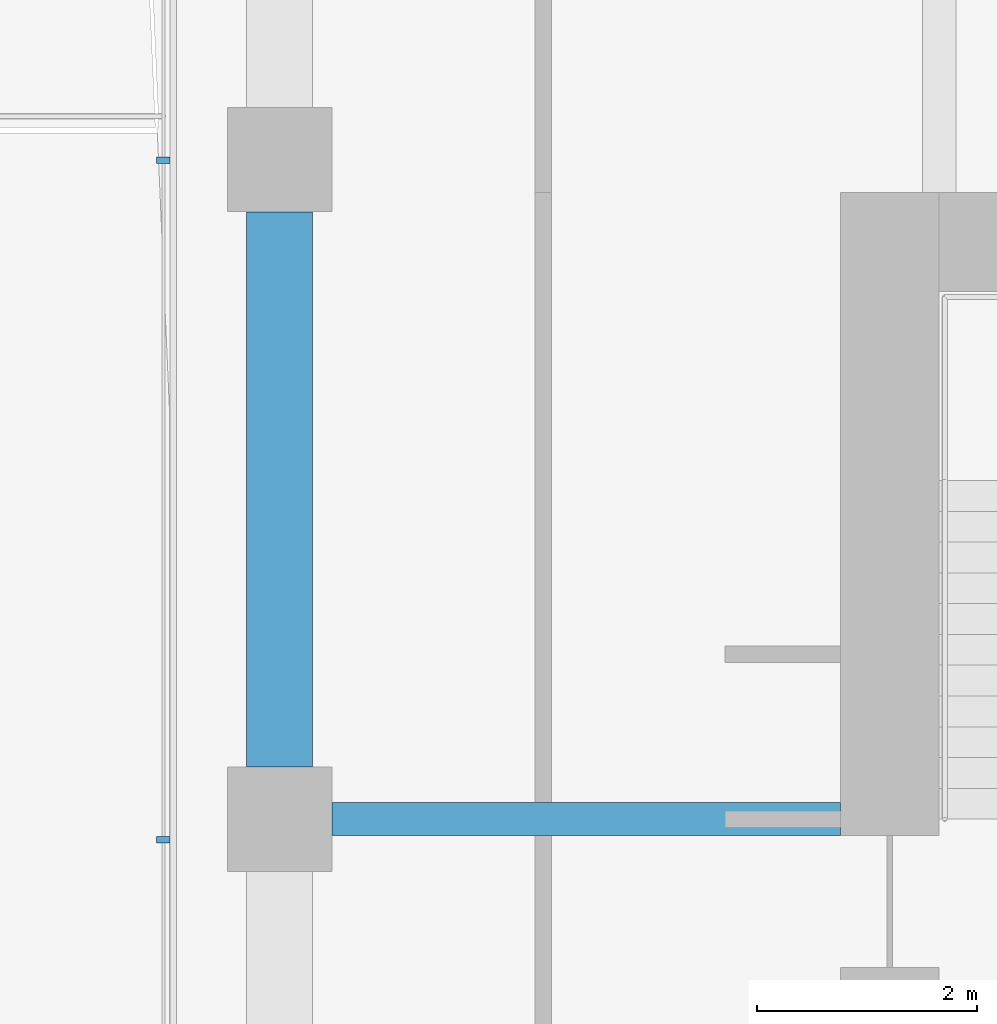
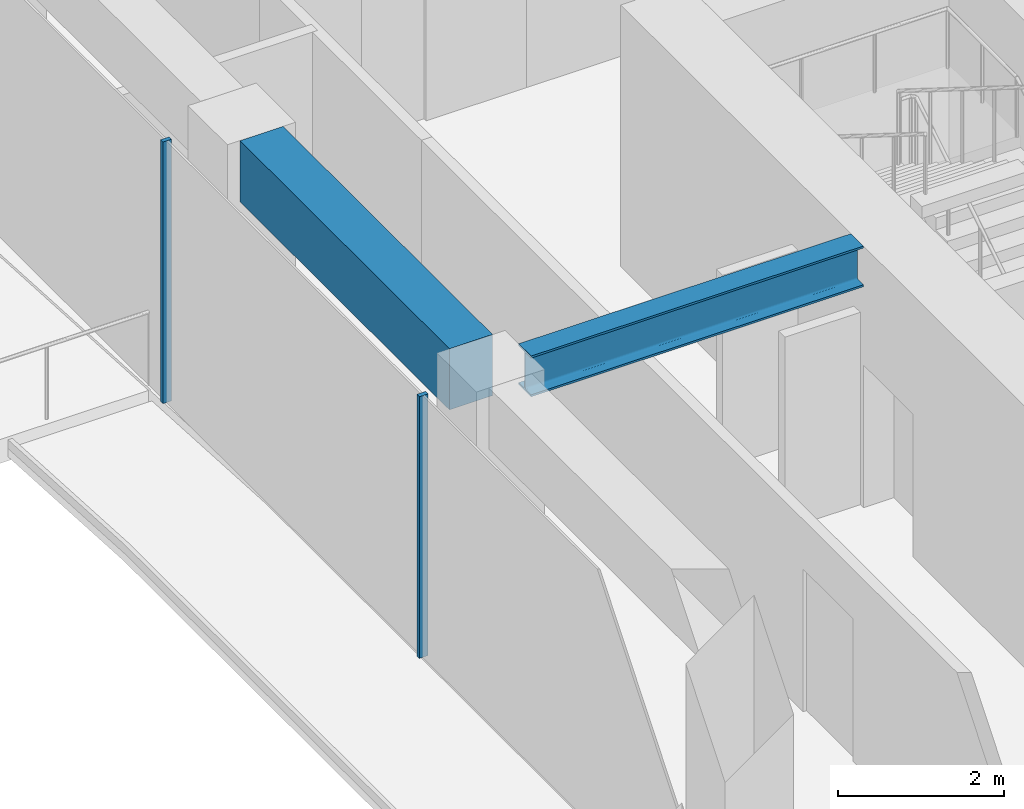
# One storey, part 6 of 29: 2 beams, 2 members, 1 element without a shape of its own.
"""IFC4 building model written with IfcOpenShell, lengths in metres."""

from ifc_helpers import new_model, si_unit, direction, frame, origin, origin_2d, place, context, subcontext, project, spatial, rectangle, i_section, extrude, material, layer, layer_set, material_profile, profile_set, type_object, element, aggregate, save


model = new_model("IFC4")

# Units and contexts
model_context = context("Model", 3, precision=1e-05, world=origin(), true_north=direction((0.0, 1.0)))
body_context = subcontext(model_context, "Body", "Model", "MODEL_VIEW")
ifc_project = project(units=[si_unit("LENGTHUNIT", "METRE"), si_unit("AREAUNIT", "SQUARE_METRE"), si_unit("VOLUMEUNIT", "CUBIC_METRE"), si_unit("PLANEANGLEUNIT", "RADIAN"), si_unit("MASSUNIT", "GRAM", prefix="KILO")], contexts=[model_context])

# Site, building, storey
site_placement = place(None, origin())
site = spatial("IfcSite", under=ifc_project, at=site_placement, CompositionType="ELEMENT")
building_placement = place(site_placement, origin())
building = spatial("IfcBuilding", under=site, at=building_placement, Name="Welwitschia Terrace Campus", CompositionType="ELEMENT")
storey_placement = place(building_placement, frame((0.0, 0.0, 62.60009765625)))
storey = spatial("IfcBuildingStorey", under=building, at=storey_placement, Name="L14", CompositionType="ELEMENT", Elevation=62.60009765625)

# Curtain wall, members
ifc_material_1 = material(Name="Bronze anodised aluminium", Category="aluminium")
ifc_layer = layer(ifc_material_1, 0.1201171875)
ifc_layer_set = layer_set([ifc_layer], Name="Bronze anodised aluminium")
curtain_wall_type = type_object("IfcCurtainWallType", Name="Curtain wall CW2 tower 6000", PredefinedType="NOTDEFINED", material=ifc_layer_set)
curtain_wall_placement = place(storey_placement, origin())
curtain_wall = element("IfcCurtainWall", 1, at=curtain_wall_placement, inside=storey, type_object=curtain_wall_type, Name="CW L14.12.5", PredefinedType="NOTDEFINED")
ifc_material_2 = material(Name="Bronze anodised aluminium", Category="aluminium")
ifc_material_profile_1 = material_profile(ifc_material_2, rectangle(XDim=0.1201171875, YDim=0.06005859375, at=origin_2d()))
ifc_profile_set_1 = profile_set([ifc_material_profile_1], Name="Bronze anodised aluminium")
member_type = type_object("IfcMemberType", Name="Mullion 60x120", PredefinedType="MULLION", material=ifc_profile_set_1)
member_1_placement = place(storey_placement, frame((-1.05810546875, 25.99169921875, 0.0), z_axis=(0.0, 0.0, 1.0), x_axis=(1.0, 0.0, 0.0)))
member_1 = element("IfcMember", 2, at=member_1_placement, type_object=member_type, Name="Mullion L14.12.5.1", PredefinedType="MULLION", context=body_context, shape_type="SweptSolid", body=[
    extrude(rectangle(XDim=0.1201171875, YDim=0.06005859375, at=origin_2d()), origin(), (0.0, 0.0, 1.0), 3.849853515625),
])
member_2_placement = place(storey_placement, frame((-1.05810546875, 19.81396484375, 0.0), z_axis=(0.0, 0.0, 1.0), x_axis=(1.0, 0.0, 0.0)))
member_2 = element("IfcMember", 3, at=member_2_placement, type_object=member_type, Name="Mullion L14.12.5.2", PredefinedType="MULLION", context=body_context, shape_type="SweptSolid", body=[
    extrude(rectangle(XDim=0.1201171875, YDim=0.06005859375, at=origin_2d()), origin(), (0.0, 0.0, 1.0), 3.849853515625),
])
aggregate(curtain_wall, [member_1, member_2])

# Beams
ifc_material_3 = material(Name="Steel S355", Category="steel")
ifc_material_profile_2 = material_profile(ifc_material_3, i_section(OverallWidth=0.300048828125, OverallDepth=0.60009765625, WebThickness=0.015380859375, FlangeThickness=0.030029296875, FilletRadius=0.027099609375, at=origin_2d()))
ifc_profile_set_2 = profile_set([ifc_material_profile_2], Name="Steel S355")
beam_type_1 = type_object("IfcBeamType", Name="Primary beam HE 600 B", PredefinedType="BEAM", material=ifc_profile_set_2)
beam_1_placement = place(storey_placement, frame((0.4755859375, 20.0, 3.5498046875), z_axis=(1.0, 0.0, 0.0), x_axis=(0.0, 1.0, 0.0)))
element("IfcBeam", 4, at=beam_1_placement, inside=storey, type_object=beam_type_1, Name="Primary beam PB2", PredefinedType="BEAM", context=body_context, shape_type="SweptSolid", body=[
    extrude(i_section(OverallWidth=0.300048828125, OverallDepth=0.60009765625, WebThickness=0.015380859375, FlangeThickness=0.030029296875, FilletRadius=0.027099609375, at=origin_2d()), origin(), (0.0, 0.0, 1.0), 4.62451171875),
])
ifc_material_4 = material(Name="Concrete C60/75", Category="concrete")
ifc_material_profile_3 = material_profile(ifc_material_4, rectangle(XDim=0.60009765625, YDim=0.89990234375, at=origin_2d()))
ifc_profile_set_3 = profile_set([ifc_material_profile_3], Name="Concrete C60/75")
beam_type_2 = type_object("IfcBeamType", Name="Ring spandrel 600x900", PredefinedType="SPANDREL", material=ifc_profile_set_3)
beam_2_placement = place(storey_placement, frame((0.0, 25.5244140625, 3.39990234375), z_axis=(0.0, -1.0, 0.0), x_axis=(1.0, 0.0, 0.0)))
element("IfcBeam", 5, at=beam_2_placement, inside=storey, type_object=beam_type_2, Name="Spandrel SP2", PredefinedType="SPANDREL", context=body_context, shape_type="SweptSolid", body=[
    extrude(rectangle(XDim=0.60009765625, YDim=0.89990234375, at=origin_2d()), origin(), (0.0, 0.0, 1.0), 5.048828125),
])

save(model, "model.ifc")
